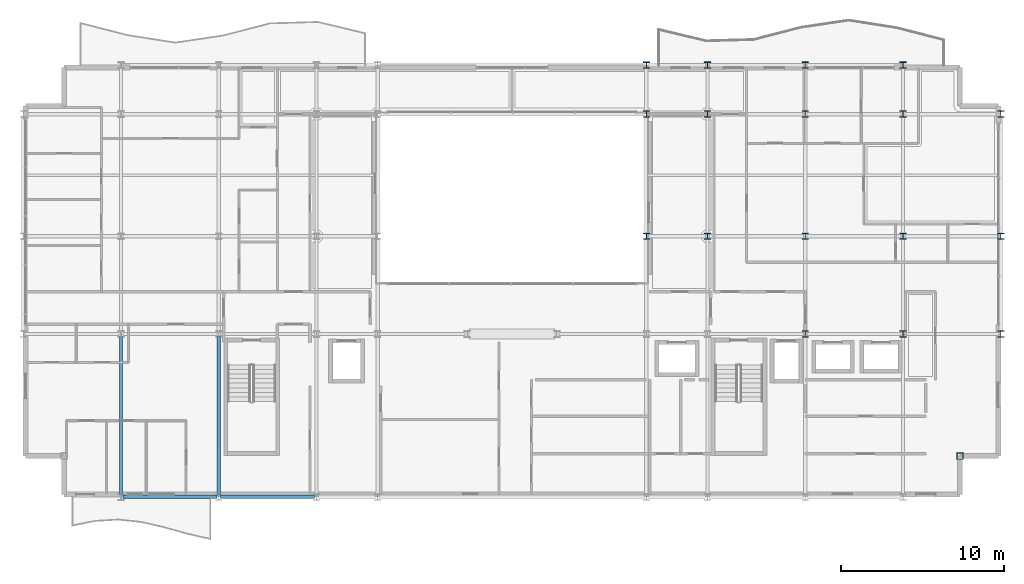
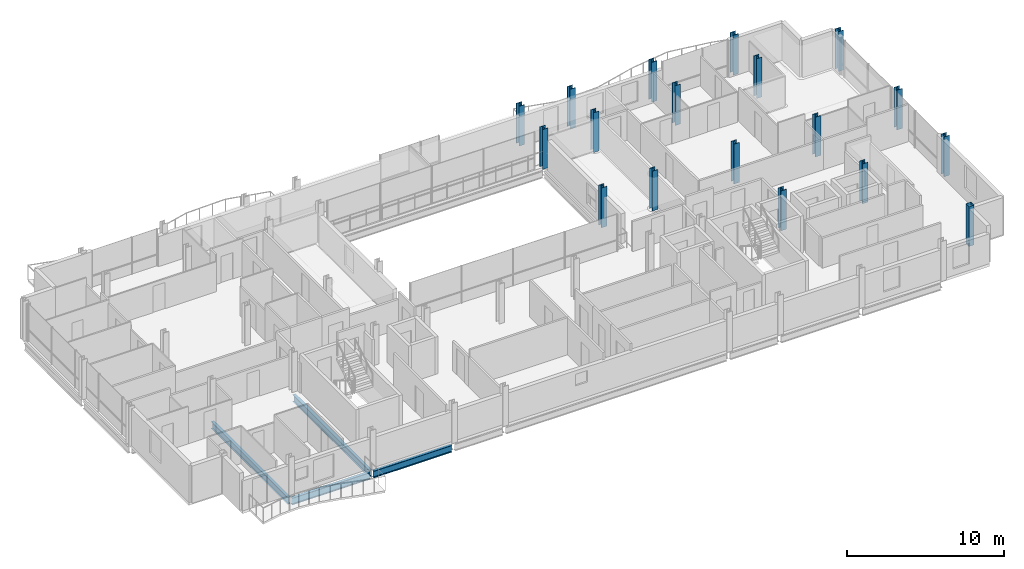
# One storey, part 2 of 35: 18 columns, 4 beams.
"""IFC4 building model written with IfcOpenShell, lengths in metres."""

from ifc_helpers import new_model, si_unit, direction, frame, origin, origin_2d, place, context, subcontext, project, spatial, hollow_rectangle, i_section, extrude, material, material_profile, profile_set, type_object, element, save


model = new_model("IFC4")

# Units and contexts
model_context = context("Model", 3, precision=1e-05, world=origin(), true_north=direction((0.0, 1.0)))
body_context = subcontext(model_context, "Body", "Model", "MODEL_VIEW")
ifc_project = project(units=[si_unit("LENGTHUNIT", "METRE"), si_unit("AREAUNIT", "SQUARE_METRE"), si_unit("VOLUMEUNIT", "CUBIC_METRE"), si_unit("PLANEANGLEUNIT", "RADIAN"), si_unit("MASSUNIT", "GRAM", prefix="KILO")], contexts=[model_context])

# Site, building, storey
site_placement = place(None, origin())
site = spatial("IfcSite", under=ifc_project, at=site_placement, CompositionType="ELEMENT")
building_placement = place(site_placement, origin())
building = spatial("IfcBuilding", under=site, at=building_placement, Name="Brevholm Reach", CompositionType="ELEMENT")
storey_placement = place(building_placement, frame((0.0, 0.0, 183.199951171875)))
storey = spatial("IfcBuildingStorey", under=building, at=storey_placement, Name="L55", CompositionType="ELEMENT", Elevation=183.199951171875)

# Columns
ifc_material_1 = material(Name="Structural Steel S460NH", Category="steel")
ifc_material_profile_1 = material_profile(ifc_material_1, hollow_rectangle(XDim=0.39990234375, YDim=0.39990234375, WallThickness=0.02001953125, InnerFilletRadius=0.011962890625, OuterFilletRadius=0.02392578125, at=origin_2d()), Name="SHS 400x400x20")
ifc_profile_set_1 = profile_set([ifc_material_profile_1], Name="Structural Steel S460NH")
column_type_1 = type_object("IfcColumnType", Name="COL-SHS2", PredefinedType="COLUMN", material=ifc_profile_set_1)
column_placement = place(storey_placement, frame((57.5, 2.5, 0.0), z_axis=(0.0, 0.0, 1.0), x_axis=(1.0, 0.0, 0.0)))
element("IfcColumn", 1, at=column_placement, inside=storey, type_object=column_type_1, Name="L55 Column 47", PredefinedType="COLUMN", context=body_context, shape_type="SweptSolid", body=[
    extrude(hollow_rectangle(XDim=0.39990234375, YDim=0.39990234375, WallThickness=0.02001953125, InnerFilletRadius=0.011962890625, OuterFilletRadius=0.02392578125, at=origin_2d()), origin(), (0.0, 0.0, 1.0), 3.10009765625),
])
ifc_material_2 = material(Name="Structural Steel S355J2", Category="steel")
ifc_material_profile_2 = material_profile(ifc_material_2, i_section(OverallWidth=0.39892578125, OverallDepth=0.3935546875, WebThickness=0.022705078125, FlangeThickness=0.03662109375, FilletRadius=0.01513671875, at=origin_2d()), Name="UKC 356x406x287")
ifc_profile_set_2 = profile_set([ifc_material_profile_2], Name="Structural Steel S355J2")
column_type_2 = type_object("IfcColumnType", Name="COL-UC5B", PredefinedType="COLUMN", material=ifc_profile_set_2)
for number, where, z_axis, x_axis, name in (
    (2, (38.25, 16.0, 0.0), (0.0, 0.0, 1.0), (1.0, 0.0, 0.0), "L55 Column 29"),
    (3, (38.25, 23.5, 0.0), (0.0, 0.0, 1.0), (1.0, 0.0, 0.0), "L55 Column 30"),
    (4, (38.25, 26.5, 0.0), (0.0, 0.0, 1.0), (1.0, 0.0, 0.0), "L55 Column 31"),
    (5, (42.0, 16.0, 0.0), (0.0, 0.0, 1.0), (1.0, 0.0, 0.0), "L55 Column 34"),
    (6, (42.0, 23.5, 0.0), (0.0, 0.0, 1.0), (1.0, 0.0, 0.0), "L55 Column 35"),
    (7, (42.0, 26.5, 0.0), (0.0, 0.0, 1.0), (1.0, 0.0, 0.0), "L55 Column 36"),
    (8, (48.0, 10.0, 0.0), (0.0, 0.0, 1.0), (1.0, 0.0, 0.0), "L55 Column 38"),
    (9, (48.0, 16.0, 0.0), (0.0, 0.0, 1.0), (1.0, 0.0, 0.0), "L55 Column 39"),
    (10, (48.0, 23.5, 0.0), (0.0, 0.0, 1.0), (1.0, 0.0, 0.0), "L55 Column 40"),
    (11, (48.0, 26.5, 0.0), (0.0, 0.0, 1.0), (1.0, 0.0, 0.0), "L55 Column 41"),
    (12, (54.0, 10.0, 0.0), (0.0, 0.0, 1.0), (1.0, 0.0, 0.0), "L55 Column 43"),
    (13, (54.0, 16.0, 0.0), (0.0, 0.0, 1.0), (1.0, 0.0, 0.0), "L55 Column 44"),
    (14, (54.0, 23.5, 0.0), (0.0, 0.0, 1.0), (1.0, 0.0, 0.0), "L55 Column 45"),
    (15, (54.0, 26.5, 0.0), (0.0, 0.0, 1.0), (1.0, 0.0, 0.0), "L55 Column 46"),
    (16, (60.0, 10.0, 0.0), (0.0, 0.0, 1.0), (1.0, 0.0, 0.0), "L55 Column 48"),
    (17, (60.0, 16.0, 0.0), (0.0, 0.0, 1.0), (1.0, 0.0, 0.0), "L55 Column 49"),
    (18, (60.0, 23.5, 0.0), (0.0, 0.0, 1.0), (1.0, 0.0, 0.0), "L55 Column 50"),
):
    element("IfcColumn", number, at=place(storey_placement, frame(where, z_axis=z_axis, x_axis=x_axis)), inside=storey, type_object=column_type_2, Name=name, PredefinedType="COLUMN", context=body_context, shape_type="SweptSolid", body=[
        extrude(i_section(OverallWidth=0.39892578125, OverallDepth=0.3935546875, WebThickness=0.022705078125, FlangeThickness=0.03662109375, FilletRadius=0.01513671875, at=origin_2d()), origin(), (0.0, 0.0, 1.0), 3.10009765625),
    ])

# Beams
ifc_material_3 = material(Name="Structural Steel S355J2", Category="steel")
ifc_material_profile_3 = material_profile(ifc_material_3, i_section(OverallWidth=0.209228515625, OverallDepth=0.533203125, WebThickness=0.010009765625, FlangeThickness=0.015625, FilletRadius=0.0126953125, at=origin_2d()), Name="UKB 533x210x92")
ifc_profile_set_3 = profile_set([ifc_material_profile_3], Name="Structural Steel S355J2")
beam_type_1 = type_object("IfcBeamType", Name="BM-SP533", PredefinedType="SPANDREL", material=ifc_profile_set_3)
for number, where, z_axis, x_axis, name in (
    (19, (6.1201171875, 0.0, -0.4765625), (1.0, 0.0, 0.0), (0.0, 1.0, 0.0), "L55 SP-02 Framing Beam"),
    (20, (12.1201171875, 0.0, -0.4765625), (1.0, 0.0, 0.0), (0.0, 1.0, 0.0), "L55 SP-02 Framing Beam"),
):
    element("IfcBeam", number, at=place(storey_placement, frame(where, z_axis=z_axis, x_axis=x_axis)), inside=storey, type_object=beam_type_1, Name=name, PredefinedType="SPANDREL", context=body_context, shape_type="SweptSolid", body=[
        extrude(i_section(OverallWidth=0.209228515625, OverallDepth=0.533203125, WebThickness=0.010009765625, FlangeThickness=0.015625, FilletRadius=0.0126953125, at=origin_2d()), origin(), (0.0, 0.0, 1.0), 5.759765625),
    ])
ifc_material_4 = material(Name="Structural Steel S355J2", Category="steel")
ifc_material_profile_4 = material_profile(ifc_material_4, i_section(OverallWidth=0.210693359375, OverallDepth=0.53955078125, WebThickness=0.01171875, FlangeThickness=0.018798828125, FilletRadius=0.0126953125, at=origin_2d()), Name="UKB 533x210x109")
ifc_profile_set_4 = profile_set([ifc_material_profile_4], Name="Structural Steel S355J2")
beam_type_2 = type_object("IfcBeamType", Name="BM-SP539", PredefinedType="SPANDREL", material=ifc_profile_set_4)
for number, where, z_axis, x_axis, name in (
    (21, (6.0, 0.1201171875, -0.479736328125), (0.0, 1.0, 0.0), (-1.0, 0.0, 0.0), "L55 SP-01B Framing Beam"),
    (22, (12.0, 0.1201171875, -0.479736328125), (0.0, 1.0, 0.0), (-1.0, 0.0, 0.0), "L55 SP-01B Framing Beam"),
):
    element("IfcBeam", number, at=place(storey_placement, frame(where, z_axis=z_axis, x_axis=x_axis)), inside=storey, type_object=beam_type_2, Name=name, PredefinedType="SPANDREL", context=body_context, shape_type="SweptSolid", body=[
        extrude(i_section(OverallWidth=0.210693359375, OverallDepth=0.53955078125, WebThickness=0.01171875, FlangeThickness=0.018798828125, FilletRadius=0.0126953125, at=origin_2d()), origin(), (0.0, 0.0, 1.0), 9.759765625),
    ])

save(model, "model.ifc")
